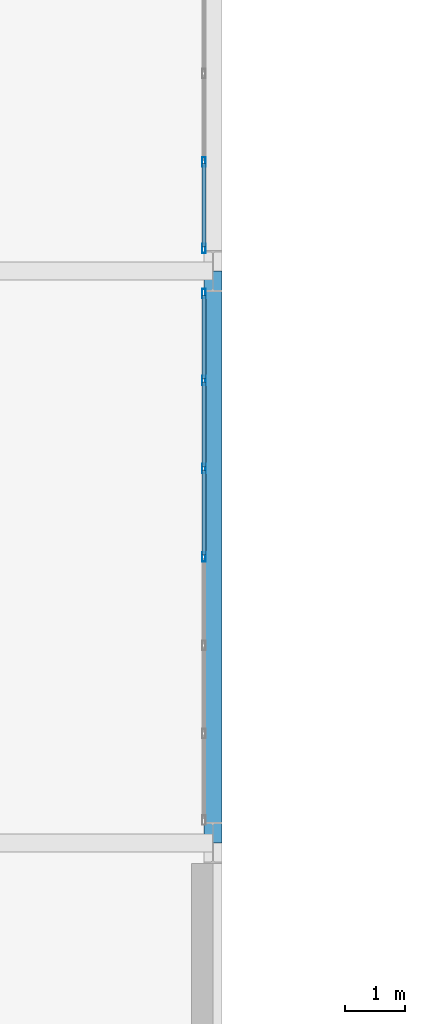
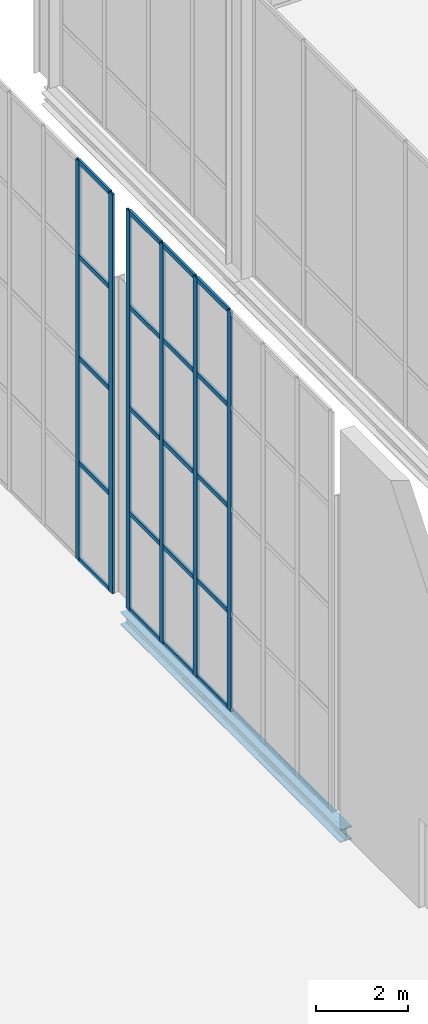
# One storey, part 57 of 131: 26 members, 1 beam, 2 elements without a shape of their own.
"""IFC4 building model written with IfcOpenShell, lengths in metres."""

from ifc_helpers import new_model, si_unit, direction, frame, origin, origin_2d, place, context, subcontext, project, spatial, hollow_rectangle, i_section, extrude, material, material_profile, profile_set, type_object, element, aggregate, save


model = new_model("IFC4")

# Units and contexts
model_context = context("Model", 3, precision=1e-05, world=origin(), true_north=direction((0.0, 1.0)))
body_context = subcontext(model_context, "Body", "Model", "MODEL_VIEW")
ifc_project = project(units=[si_unit("LENGTHUNIT", "METRE"), si_unit("AREAUNIT", "SQUARE_METRE"), si_unit("VOLUMEUNIT", "CUBIC_METRE"), si_unit("PLANEANGLEUNIT", "RADIAN"), si_unit("MASSUNIT", "GRAM", prefix="KILO")], contexts=[model_context])

# Site, building, storey
site_placement = place(None, origin())
site = spatial("IfcSite", under=ifc_project, at=site_placement, CompositionType="ELEMENT")
building_placement = place(site_placement, origin())
building = spatial("IfcBuilding", under=site, at=building_placement, Name="Veltarok Museum of Natural Sciences", CompositionType="ELEMENT")
storey_placement = place(building_placement, origin())
storey = spatial("IfcBuildingStorey", under=building, at=storey_placement, Name="L00", CompositionType="ELEMENT", Elevation=0.0)

# Curtain wall, members
ifc_material_1 = material(Name="Low-iron triple insulated glass", Category="glass")
curtain_wall_type_1 = type_object("IfcCurtainWallType", Name="Curtain Wall System CW-PAS-NE-JK-890x1065 (Sculpture Court East Passage J-K 890x1065cm)", PredefinedType="NOTDEFINED", material=ifc_material_1)
curtain_wall_1_placement = place(storey_placement, origin())
curtain_wall_1 = element("IfcCurtainWall", 1, at=curtain_wall_1_placement, inside=storey, type_object=curtain_wall_type_1, Name="Curtain Wall CW-PAS-NE-JK-890x1065 CW-0047", PredefinedType="NOTDEFINED")
ifc_material_2 = material(Name="Thermally broken anodised aluminium", Category="aluminium")
ifc_material_profile_1 = material_profile(ifc_material_2, hollow_rectangle(XDim=0.06005859375, YDim=0.1201171875, WallThickness=0.0048828125, at=origin_2d()), Name="CW TRANSOM 60x120x5")
ifc_profile_set_1 = profile_set([ifc_material_profile_1], Name="Thermally broken anodised aluminium")
member_type_1 = type_object("IfcMemberType", Name="Curtain Wall Horizontal Transom 60x120x5", PredefinedType="USERDEFINED", material=ifc_profile_set_1)
member_1_placement = place(storey_placement, frame((48.25, 86.429931640625, 0.030029296875), z_axis=(0.0, 1.0, 0.0), x_axis=(-1.0, 0.0, 0.0)))
member_1 = element("IfcMember", 2, at=member_1_placement, type_object=member_type_1, Name="CW-PAS-NE-JK-890x1065 transom 4.1", ObjectType="TRANSOM", PredefinedType="USERDEFINED", context=body_context, shape_type="SweptSolid", body=[
    extrude(hollow_rectangle(XDim=0.06005859375, YDim=0.1201171875, WallThickness=0.0048828125, at=origin_2d()), origin(), (0.0, 0.0, 1.0), 1.42333984375),
])
member_2_placement = place(storey_placement, frame((48.25, 86.429931640625, 2.60009765625), z_axis=(0.0, 1.0, 0.0), x_axis=(-1.0, 0.0, 0.0)))
member_2 = element("IfcMember", 3, at=member_2_placement, type_object=member_type_1, Name="CW-PAS-NE-JK-890x1065 transom 4.2", ObjectType="TRANSOM", PredefinedType="USERDEFINED", context=body_context, shape_type="SweptSolid", body=[
    extrude(hollow_rectangle(XDim=0.06005859375, YDim=0.1201171875, WallThickness=0.0048828125, at=origin_2d()), origin(), (0.0, 0.0, 1.0), 1.42333984375),
])
member_3_placement = place(storey_placement, frame((48.25, 86.429931640625, 5.39990234375), z_axis=(0.0, 1.0, 0.0), x_axis=(-1.0, 0.0, 0.0)))
member_3 = element("IfcMember", 4, at=member_3_placement, type_object=member_type_1, Name="CW-PAS-NE-JK-890x1065 transom 4.3", ObjectType="TRANSOM", PredefinedType="USERDEFINED", context=body_context, shape_type="SweptSolid", body=[
    extrude(hollow_rectangle(XDim=0.06005859375, YDim=0.1201171875, WallThickness=0.0048828125, at=origin_2d()), origin(), (0.0, 0.0, 1.0), 1.42333984375),
])
member_4_placement = place(storey_placement, frame((48.25, 86.429931640625, 8.10009765625), z_axis=(0.0, 1.0, 0.0), x_axis=(-1.0, 0.0, 0.0)))
member_4 = element("IfcMember", 5, at=member_4_placement, type_object=member_type_1, Name="CW-PAS-NE-JK-890x1065 transom 4.4", ObjectType="TRANSOM", PredefinedType="USERDEFINED", context=body_context, shape_type="SweptSolid", body=[
    extrude(hollow_rectangle(XDim=0.06005859375, YDim=0.1201171875, WallThickness=0.0048828125, at=origin_2d()), origin(), (0.0, 0.0, 1.0), 1.42333984375),
])
member_5_placement = place(storey_placement, frame((48.25, 86.429931640625, 10.6201171875), z_axis=(0.0, 1.0, 0.0), x_axis=(-1.0, 0.0, 0.0)))
member_5 = element("IfcMember", 6, at=member_5_placement, type_object=member_type_1, Name="CW-PAS-NE-JK-890x1065 transom 4.5", ObjectType="TRANSOM", PredefinedType="USERDEFINED", context=body_context, shape_type="SweptSolid", body=[
    extrude(hollow_rectangle(XDim=0.06005859375, YDim=0.1201171875, WallThickness=0.0048828125, at=origin_2d()), origin(), (0.0, 0.0, 1.0), 1.42333984375),
])
member_6_placement = place(storey_placement, frame((48.25, 87.913330078125, 0.030029296875), z_axis=(0.0, 1.0, 0.0), x_axis=(-1.0, 0.0, 0.0)))
member_6 = element("IfcMember", 7, at=member_6_placement, type_object=member_type_1, Name="CW-PAS-NE-JK-890x1065 transom 5.1", ObjectType="TRANSOM", PredefinedType="USERDEFINED", context=body_context, shape_type="SweptSolid", body=[
    extrude(hollow_rectangle(XDim=0.06005859375, YDim=0.1201171875, WallThickness=0.0048828125, at=origin_2d()), origin(), (0.0, 0.0, 1.0), 1.42333984375),
])
member_7_placement = place(storey_placement, frame((48.25, 87.913330078125, 2.60009765625), z_axis=(0.0, 1.0, 0.0), x_axis=(-1.0, 0.0, 0.0)))
member_7 = element("IfcMember", 8, at=member_7_placement, type_object=member_type_1, Name="CW-PAS-NE-JK-890x1065 transom 5.2", ObjectType="TRANSOM", PredefinedType="USERDEFINED", context=body_context, shape_type="SweptSolid", body=[
    extrude(hollow_rectangle(XDim=0.06005859375, YDim=0.1201171875, WallThickness=0.0048828125, at=origin_2d()), origin(), (0.0, 0.0, 1.0), 1.42333984375),
])
member_8_placement = place(storey_placement, frame((48.25, 87.913330078125, 5.39990234375), z_axis=(0.0, 1.0, 0.0), x_axis=(-1.0, 0.0, 0.0)))
member_8 = element("IfcMember", 9, at=member_8_placement, type_object=member_type_1, Name="CW-PAS-NE-JK-890x1065 transom 5.3", ObjectType="TRANSOM", PredefinedType="USERDEFINED", context=body_context, shape_type="SweptSolid", body=[
    extrude(hollow_rectangle(XDim=0.06005859375, YDim=0.1201171875, WallThickness=0.0048828125, at=origin_2d()), origin(), (0.0, 0.0, 1.0), 1.42333984375),
])
member_9_placement = place(storey_placement, frame((48.25, 87.913330078125, 8.10009765625), z_axis=(0.0, 1.0, 0.0), x_axis=(-1.0, 0.0, 0.0)))
member_9 = element("IfcMember", 10, at=member_9_placement, type_object=member_type_1, Name="CW-PAS-NE-JK-890x1065 transom 5.4", ObjectType="TRANSOM", PredefinedType="USERDEFINED", context=body_context, shape_type="SweptSolid", body=[
    extrude(hollow_rectangle(XDim=0.06005859375, YDim=0.1201171875, WallThickness=0.0048828125, at=origin_2d()), origin(), (0.0, 0.0, 1.0), 1.42333984375),
])
member_10_placement = place(storey_placement, frame((48.25, 87.913330078125, 10.6201171875), z_axis=(0.0, 1.0, 0.0), x_axis=(-1.0, 0.0, 0.0)))
member_10 = element("IfcMember", 11, at=member_10_placement, type_object=member_type_1, Name="CW-PAS-NE-JK-890x1065 transom 5.5", ObjectType="TRANSOM", PredefinedType="USERDEFINED", context=body_context, shape_type="SweptSolid", body=[
    extrude(hollow_rectangle(XDim=0.06005859375, YDim=0.1201171875, WallThickness=0.0048828125, at=origin_2d()), origin(), (0.0, 0.0, 1.0), 1.42333984375),
])
member_11_placement = place(storey_placement, frame((48.25, 89.396728515625, 0.030029296875), z_axis=(0.0, 1.0, 0.0), x_axis=(-1.0, 0.0, 0.0)))
member_11 = element("IfcMember", 12, at=member_11_placement, type_object=member_type_1, Name="CW-PAS-NE-JK-890x1065 transom 6.1", ObjectType="TRANSOM", PredefinedType="USERDEFINED", context=body_context, shape_type="SweptSolid", body=[
    extrude(hollow_rectangle(XDim=0.06005859375, YDim=0.1201171875, WallThickness=0.0048828125, at=origin_2d()), origin(), (0.0, 0.0, 1.0), 1.393310546875),
])
member_12_placement = place(storey_placement, frame((48.25, 89.396728515625, 2.60009765625), z_axis=(0.0, 1.0, 0.0), x_axis=(-1.0, 0.0, 0.0)))
member_12 = element("IfcMember", 13, at=member_12_placement, type_object=member_type_1, Name="CW-PAS-NE-JK-890x1065 transom 6.2", ObjectType="TRANSOM", PredefinedType="USERDEFINED", context=body_context, shape_type="SweptSolid", body=[
    extrude(hollow_rectangle(XDim=0.06005859375, YDim=0.1201171875, WallThickness=0.0048828125, at=origin_2d()), origin(), (0.0, 0.0, 1.0), 1.393310546875),
])
member_13_placement = place(storey_placement, frame((48.25, 89.396728515625, 5.39990234375), z_axis=(0.0, 1.0, 0.0), x_axis=(-1.0, 0.0, 0.0)))
member_13 = element("IfcMember", 14, at=member_13_placement, type_object=member_type_1, Name="CW-PAS-NE-JK-890x1065 transom 6.3", ObjectType="TRANSOM", PredefinedType="USERDEFINED", context=body_context, shape_type="SweptSolid", body=[
    extrude(hollow_rectangle(XDim=0.06005859375, YDim=0.1201171875, WallThickness=0.0048828125, at=origin_2d()), origin(), (0.0, 0.0, 1.0), 1.393310546875),
])
member_14_placement = place(storey_placement, frame((48.25, 89.396728515625, 8.10009765625), z_axis=(0.0, 1.0, 0.0), x_axis=(-1.0, 0.0, 0.0)))
member_14 = element("IfcMember", 15, at=member_14_placement, type_object=member_type_1, Name="CW-PAS-NE-JK-890x1065 transom 6.4", ObjectType="TRANSOM", PredefinedType="USERDEFINED", context=body_context, shape_type="SweptSolid", body=[
    extrude(hollow_rectangle(XDim=0.06005859375, YDim=0.1201171875, WallThickness=0.0048828125, at=origin_2d()), origin(), (0.0, 0.0, 1.0), 1.393310546875),
])
member_15_placement = place(storey_placement, frame((48.25, 89.396728515625, 10.6201171875), z_axis=(0.0, 1.0, 0.0), x_axis=(-1.0, 0.0, 0.0)))
member_15 = element("IfcMember", 16, at=member_15_placement, type_object=member_type_1, Name="CW-PAS-NE-JK-890x1065 transom 6.5", ObjectType="TRANSOM", PredefinedType="USERDEFINED", context=body_context, shape_type="SweptSolid", body=[
    extrude(hollow_rectangle(XDim=0.06005859375, YDim=0.1201171875, WallThickness=0.0048828125, at=origin_2d()), origin(), (0.0, 0.0, 1.0), 1.393310546875),
])

curtain_wall_type_2 = type_object("IfcCurtainWallType", Name="Curtain Wall System CW-PAS-NE-KL-890x1065 (Sculpture Court East Passage K-L 890x1065cm)", PredefinedType="NOTDEFINED", material=ifc_material_1)
curtain_wall_2_placement = place(storey_placement, origin())
curtain_wall_2 = element("IfcCurtainWall", 17, at=curtain_wall_2_placement, inside=storey, type_object=curtain_wall_type_2, Name="Curtain Wall CW-PAS-NE-KL-890x1065 CW-0048", PredefinedType="NOTDEFINED")
member_16_placement = place(storey_placement, frame((48.25, 91.610107421875, 0.030029296875), z_axis=(0.0, 1.0, 0.0), x_axis=(-1.0, 0.0, 0.0)))
member_16 = element("IfcMember", 18, at=member_16_placement, type_object=member_type_1, Name="CW-PAS-NE-KL-890x1065 transom 1.1", ObjectType="TRANSOM", PredefinedType="USERDEFINED", context=body_context, shape_type="SweptSolid", body=[
    extrude(hollow_rectangle(XDim=0.06005859375, YDim=0.1201171875, WallThickness=0.0048828125, at=origin_2d()), origin(), (0.0, 0.0, 1.0), 1.393310546875),
])
member_17_placement = place(storey_placement, frame((48.25, 91.610107421875, 2.60009765625), z_axis=(0.0, 1.0, 0.0), x_axis=(-1.0, 0.0, 0.0)))
member_17 = element("IfcMember", 19, at=member_17_placement, type_object=member_type_1, Name="CW-PAS-NE-KL-890x1065 transom 1.2", ObjectType="TRANSOM", PredefinedType="USERDEFINED", context=body_context, shape_type="SweptSolid", body=[
    extrude(hollow_rectangle(XDim=0.06005859375, YDim=0.1201171875, WallThickness=0.0048828125, at=origin_2d()), origin(), (0.0, 0.0, 1.0), 1.393310546875),
])
member_18_placement = place(storey_placement, frame((48.25, 91.610107421875, 5.39990234375), z_axis=(0.0, 1.0, 0.0), x_axis=(-1.0, 0.0, 0.0)))
member_18 = element("IfcMember", 20, at=member_18_placement, type_object=member_type_1, Name="CW-PAS-NE-KL-890x1065 transom 1.3", ObjectType="TRANSOM", PredefinedType="USERDEFINED", context=body_context, shape_type="SweptSolid", body=[
    extrude(hollow_rectangle(XDim=0.06005859375, YDim=0.1201171875, WallThickness=0.0048828125, at=origin_2d()), origin(), (0.0, 0.0, 1.0), 1.393310546875),
])
member_19_placement = place(storey_placement, frame((48.25, 91.610107421875, 8.10009765625), z_axis=(0.0, 1.0, 0.0), x_axis=(-1.0, 0.0, 0.0)))
member_19 = element("IfcMember", 21, at=member_19_placement, type_object=member_type_1, Name="CW-PAS-NE-KL-890x1065 transom 1.4", ObjectType="TRANSOM", PredefinedType="USERDEFINED", context=body_context, shape_type="SweptSolid", body=[
    extrude(hollow_rectangle(XDim=0.06005859375, YDim=0.1201171875, WallThickness=0.0048828125, at=origin_2d()), origin(), (0.0, 0.0, 1.0), 1.393310546875),
])
member_20_placement = place(storey_placement, frame((48.25, 91.610107421875, 10.6201171875), z_axis=(0.0, 1.0, 0.0), x_axis=(-1.0, 0.0, 0.0)))
member_20 = element("IfcMember", 22, at=member_20_placement, type_object=member_type_1, Name="CW-PAS-NE-KL-890x1065 transom 1.5", ObjectType="TRANSOM", PredefinedType="USERDEFINED", context=body_context, shape_type="SweptSolid", body=[
    extrude(hollow_rectangle(XDim=0.06005859375, YDim=0.1201171875, WallThickness=0.0048828125, at=origin_2d()), origin(), (0.0, 0.0, 1.0), 1.393310546875),
])

# Member
ifc_material_profile_2 = material_profile(ifc_material_2, hollow_rectangle(XDim=0.06005859375, YDim=0.159912109375, WallThickness=0.0048828125, at=origin_2d()), Name="CW MULLION 60x160x5")
ifc_profile_set_2 = profile_set([ifc_material_profile_2], Name="Thermally broken anodised aluminium")
member_type_2 = type_object("IfcMemberType", Name="Curtain Wall Vertical Mullion 60x160x5", PredefinedType="MULLION", material=ifc_profile_set_2)
member_21_placement = place(storey_placement, frame((48.25, 86.39990234375, 0.0), z_axis=(0.0, 0.0, 1.0), x_axis=(-1.0, 0.0, 0.0)))
member_21 = element("IfcMember", 23, at=member_21_placement, type_object=member_type_2, Name="CW-PAS-NE-JK-890x1065 mullion 4", PredefinedType="MULLION", context=body_context, shape_type="SweptSolid", body=[
    extrude(hollow_rectangle(XDim=0.06005859375, YDim=0.159912109375, WallThickness=0.0048828125, at=origin_2d()), origin(), (0.0, 0.0, 1.0), 10.64990234375),
])

member_22_placement = place(storey_placement, frame((48.25, 87.88330078125, 0.0), z_axis=(0.0, 0.0, 1.0), x_axis=(-1.0, 0.0, 0.0)))
member_22 = element("IfcMember", 24, at=member_22_placement, type_object=member_type_2, Name="CW-PAS-NE-JK-890x1065 mullion 5", PredefinedType="MULLION", context=body_context, shape_type="SweptSolid", body=[
    extrude(hollow_rectangle(XDim=0.06005859375, YDim=0.159912109375, WallThickness=0.0048828125, at=origin_2d()), origin(), (0.0, 0.0, 1.0), 10.64990234375),
])

member_23_placement = place(storey_placement, frame((48.25, 89.36669921875, 0.0), z_axis=(0.0, 0.0, 1.0), x_axis=(-1.0, 0.0, 0.0)))
member_23 = element("IfcMember", 25, at=member_23_placement, type_object=member_type_2, Name="CW-PAS-NE-JK-890x1065 mullion 6", PredefinedType="MULLION", context=body_context, shape_type="SweptSolid", body=[
    extrude(hollow_rectangle(XDim=0.06005859375, YDim=0.159912109375, WallThickness=0.0048828125, at=origin_2d()), origin(), (0.0, 0.0, 1.0), 10.64990234375),
])

member_24_placement = place(storey_placement, frame((48.25, 90.820068359375, 0.0), z_axis=(0.0, 0.0, 1.0), x_axis=(-1.0, 0.0, 0.0)))
member_24 = element("IfcMember", 26, at=member_24_placement, type_object=member_type_2, Name="CW-PAS-NE-JK-890x1065 mullion 7", PredefinedType="MULLION", context=body_context, shape_type="SweptSolid", body=[
    extrude(hollow_rectangle(XDim=0.06005859375, YDim=0.159912109375, WallThickness=0.0048828125, at=origin_2d()), origin(), (0.0, 0.0, 1.0), 10.64990234375),
])

aggregate(curtain_wall_1, [member_21, member_22, member_23, member_24, member_1, member_2, member_3, member_4, member_5, member_6, member_7, member_8, member_9, member_10, member_11, member_12, member_13, member_14, member_15])

member_25_placement = place(storey_placement, frame((48.25, 91.580078125, 0.0), z_axis=(0.0, 0.0, 1.0), x_axis=(-1.0, 0.0, 0.0)))
member_25 = element("IfcMember", 27, at=member_25_placement, type_object=member_type_2, Name="CW-PAS-NE-KL-890x1065 mullion 1", PredefinedType="MULLION", context=body_context, shape_type="SweptSolid", body=[
    extrude(hollow_rectangle(XDim=0.06005859375, YDim=0.159912109375, WallThickness=0.0048828125, at=origin_2d()), origin(), (0.0, 0.0, 1.0), 10.64990234375),
])

member_26_placement = place(storey_placement, frame((48.25, 93.033447265625, 0.0), z_axis=(0.0, 0.0, 1.0), x_axis=(-1.0, 0.0, 0.0)))
member_26 = element("IfcMember", 28, at=member_26_placement, type_object=member_type_2, Name="CW-PAS-NE-KL-890x1065 mullion 2", PredefinedType="MULLION", context=body_context, shape_type="SweptSolid", body=[
    extrude(hollow_rectangle(XDim=0.06005859375, YDim=0.159912109375, WallThickness=0.0048828125, at=origin_2d()), origin(), (0.0, 0.0, 1.0), 10.64990234375),
])

aggregate(curtain_wall_2, [member_25, member_26, member_16, member_17, member_18, member_19, member_20])

# Beam
ifc_material_3 = material(Name="Steel S355J2", Category="steel")
ifc_material_profile_3 = material_profile(ifc_material_3, i_section(OverallWidth=0.300048828125, OverallDepth=0.340087890625, WebThickness=0.011962890625, FlangeThickness=0.021484375, FilletRadius=0.027099609375, at=origin_2d()), Name="HEB 340")
ifc_profile_set_3 = profile_set([ifc_material_profile_3], Name="Steel S355J2")
beam_type = type_object("IfcBeamType", Name="Perimeter Bridge Spandrel HEB 340", PredefinedType="SPANDREL", material=ifc_profile_set_3)
beam_placement = place(storey_placement, frame((48.39990234375, 81.60009765625, -0.469970703125), z_axis=(0.0, 1.0, 0.0), x_axis=(-1.0, 0.0, 0.0)))
element("IfcBeam", 29, at=beam_placement, inside=storey, type_object=beam_type, Name="Beam BM-SP07 L00 6/J-K", PredefinedType="SPANDREL", context=body_context, shape_type="SweptSolid", body=[
    extrude(i_section(OverallWidth=0.300048828125, OverallDepth=0.340087890625, WebThickness=0.011962890625, FlangeThickness=0.021484375, FilletRadius=0.027099609375, at=origin_2d()), origin(), (0.0, 0.0, 1.0), 9.599853515625),
])

save(model, "model.ifc")
